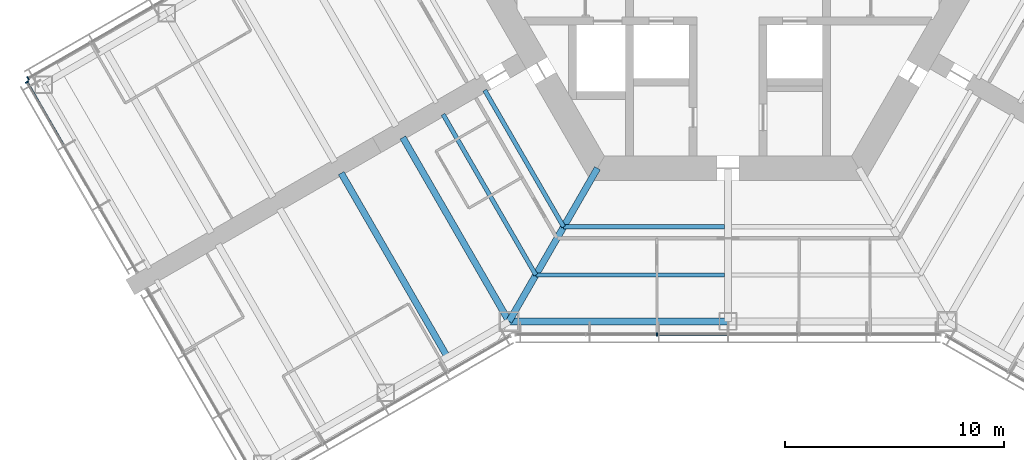
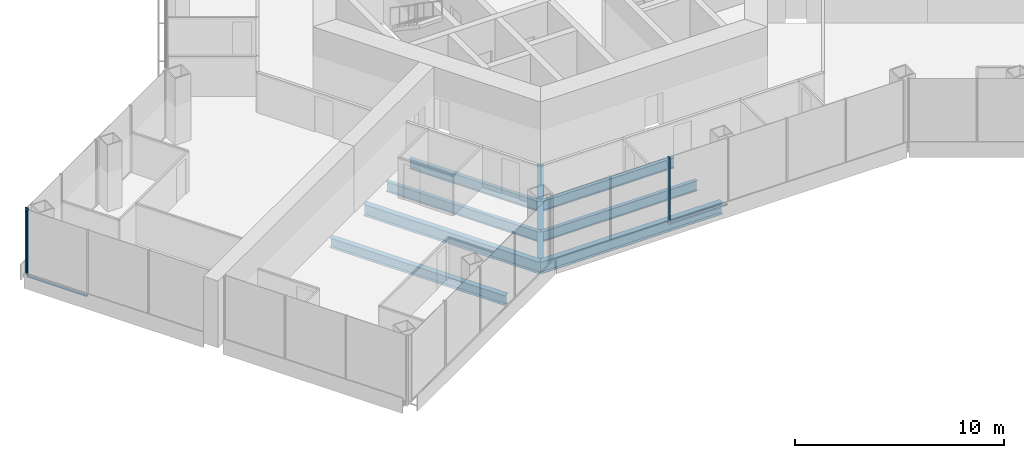
# One storey, part 3 of 18: 8 beams, 5 members, 3 elements without a shape of their own.
"""IFC4 building model written with IfcOpenShell, lengths in metres."""

from ifc_helpers import new_model, si_unit, direction, frame, origin, origin_2d, place, context, subcontext, project, spatial, rectangle, i_section, extrude, material, material_profile, profile_set, type_object, element, aggregate, save


model = new_model("IFC4")

# Units and contexts
model_context = context("Model", 3, precision=1e-05, world=origin(), true_north=direction((0.0, 1.0)))
body_context = subcontext(model_context, "Body", "Model", "MODEL_VIEW")
ifc_project = project(units=[si_unit("LENGTHUNIT", "METRE"), si_unit("AREAUNIT", "SQUARE_METRE"), si_unit("VOLUMEUNIT", "CUBIC_METRE"), si_unit("PLANEANGLEUNIT", "RADIAN"), si_unit("MASSUNIT", "GRAM", prefix="KILO")], contexts=[model_context])

# Site, building, storey
site_placement = place(None, origin())
site = spatial("IfcSite", under=ifc_project, at=site_placement, CompositionType="ELEMENT")
building_placement = place(site_placement, origin())
building = spatial("IfcBuilding", under=site, at=building_placement, Name="Kasaneha Research Tower", CompositionType="ELEMENT")
storey_placement = place(building_placement, frame((0.0, 0.0, 119.699951171875)))
storey = spatial("IfcBuildingStorey", under=building, at=storey_placement, Name="L30", CompositionType="ELEMENT", Elevation=119.699951171875)

# Beams
ifc_material_1 = material(Name="Steel SN490B", Category="steel")
ifc_material_profile_1 = material_profile(ifc_material_1, i_section(OverallWidth=0.199951171875, OverallDepth=0.60009765625, WebThickness=0.010986328125, FlangeThickness=0.01708984375, FilletRadius=0.012939453125, at=origin_2d()), Name="H-600x200x11x17")
ifc_profile_set_1 = profile_set([ifc_material_profile_1], Name="Steel SN490B")
beam_type_1 = type_object("IfcBeamType", Name="B1-3 secondary beam H-600x200x11x17", PredefinedType="JOIST", material=ifc_profile_set_1)
beam_1_placement = place(storey_placement, frame((-7.505615234375, -13.0, -0.449951171875), z_axis=(-0.499998147991, 0.86602647304, 0.0), x_axis=(-0.86602647304, -0.499998147991, 0.0)))
element("IfcBeam", 1, at=beam_1_placement, inside=storey, type_object=beam_type_1, Name="Secondary beam RS210R1 L30", PredefinedType="JOIST", context=body_context, shape_type="SweptSolid", body=[
    extrude(i_section(OverallWidth=0.199951171875, OverallDepth=0.60009765625, WebThickness=0.010986328125, FlangeThickness=0.01708984375, FilletRadius=0.012939453125, at=origin_2d()), origin(), (0.0, 0.0, 1.0), 7.20556640625),
])
beam_2_placement = place(storey_placement, frame((-8.775634765625, -15.199951171875, -0.449951171875), z_axis=(-0.500020829043, 0.866013377797, 0.0), x_axis=(-0.866013377797, -0.500020829043, 0.0)))
element("IfcBeam", 2, at=beam_2_placement, inside=storey, type_object=beam_type_1, Name="Secondary beam RS210R2 L30", PredefinedType="JOIST", context=body_context, shape_type="SweptSolid", body=[
    extrude(i_section(OverallWidth=0.199951171875, OverallDepth=0.60009765625, WebThickness=0.010986328125, FlangeThickness=0.01708984375, FilletRadius=0.012939453125, at=origin_2d()), origin(), (0.0, 0.0, 1.0), 8.475830078125),
])
beam_3_placement = place(storey_placement, frame((-7.505615234375, -13.0, -0.449951171875), z_axis=(1.0, 0.0, 0.0), x_axis=(0.0, 1.0, 0.0)))
element("IfcBeam", 3, at=beam_3_placement, inside=storey, type_object=beam_type_1, Name="Secondary beam RS270L1 L30", PredefinedType="JOIST", context=body_context, shape_type="SweptSolid", body=[
    extrude(i_section(OverallWidth=0.199951171875, OverallDepth=0.60009765625, WebThickness=0.010986328125, FlangeThickness=0.01708984375, FilletRadius=0.012939453125, at=origin_2d()), origin(), (0.0, 0.0, 1.0), 7.355712890625),
])
beam_4_placement = place(storey_placement, frame((-8.775634765625, -15.199951171875, -0.449951171875), z_axis=(1.0, 0.0, 0.0), x_axis=(0.0, 1.0, 0.0)))
element("IfcBeam", 4, at=beam_4_placement, inside=storey, type_object=beam_type_1, Name="Secondary beam RS270L2 L30", PredefinedType="JOIST", context=body_context, shape_type="SweptSolid", body=[
    extrude(i_section(OverallWidth=0.199951171875, OverallDepth=0.60009765625, WebThickness=0.010986328125, FlangeThickness=0.01708984375, FilletRadius=0.012939453125, at=origin_2d()), origin(), (0.0, 0.0, 1.0), 8.625732421875),
])
ifc_material_2 = material(Name="Steel SN490B", Category="steel")
ifc_material_profile_2 = material_profile(ifc_material_2, i_section(OverallWidth=0.300048828125, OverallDepth=0.58203125, WebThickness=0.011962890625, FlangeThickness=0.01708984375, FilletRadius=0.012939453125, at=origin_2d()), Name="H-582x300x12x17")
ifc_profile_set_2 = profile_set([ifc_material_profile_2], Name="Steel SN490B")
beam_type_2 = type_object("IfcBeamType", Name="B2-3 secondary beam H-582x300x12x17", PredefinedType="JOIST", material=ifc_profile_set_2)
beam_5_placement = place(storey_placement, frame((-12.814697265625, -18.945556640625, -0.44091796875), z_axis=(-0.499991164321, 0.866030505006, 0.0), x_axis=(-0.866030505006, -0.499991164321, 0.0)))
element("IfcBeam", 5, at=beam_5_placement, inside=storey, type_object=beam_type_2, Name="Secondary beam WBBN1 L30", PredefinedType="JOIST", context=body_context, shape_type="SweptSolid", body=[
    extrude(i_section(OverallWidth=0.300048828125, OverallDepth=0.58203125, WebThickness=0.011962890625, FlangeThickness=0.01708984375, FilletRadius=0.012939453125, at=origin_2d()), origin(), (0.0, 0.0, 1.0), 9.699951171875),
])

# Curtain wall, member
ifc_material_3 = material(Name="Glass and aluminium", Category="aluminium")
curtain_wall_type = type_object("IfcCurtainWallType", Name="Low-rise office curtain wall", PredefinedType="USERDEFINED", material=ifc_material_3)
curtain_wall_1_placement = place(storey_placement, origin())
curtain_wall_1 = element("IfcCurtainWall", 6, at=curtain_wall_1_placement, inside=storey, type_object=curtain_wall_type, Name="CW-O1 L30 run 02a", ObjectType="UNITISED CURTAIN WALL", PredefinedType="USERDEFINED")
ifc_material_4 = material(Name="Aluminium 6063-T6", Category="aluminium")
ifc_material_profile_3 = material_profile(ifc_material_4, rectangle(XDim=0.06005859375, YDim=0.159912109375, at=origin_2d()), Name="CW-O1 mullion 60x160")
ifc_profile_set_3 = profile_set([ifc_material_profile_3], Name="Aluminium 6063-T6")
member_type_1 = type_object("IfcMemberType", Name="CW-O1 mullion", PredefinedType="MULLION", material=ifc_profile_set_3)
member_1_placement = place(storey_placement, frame((-3.246337890625, -17.92041015625, 0.0), z_axis=(0.0, 0.0, 1.0), x_axis=(1.0, 0.0, 0.0)))
member_1 = element("IfcMember", 7, at=member_1_placement, type_object=member_type_1, Name="CW-O1 mullion 3", PredefinedType="MULLION", context=body_context, shape_type="SweptSolid", body=[
    extrude(rectangle(XDim=0.06005859375, YDim=0.159912109375, at=origin_2d()), origin(), (0.0, 0.0, 1.0), 3.900146484375),
])

curtain_wall_2_placement = place(storey_placement, origin())
curtain_wall_2 = element("IfcCurtainWall", 8, at=curtain_wall_2_placement, inside=storey, type_object=curtain_wall_type, Name="CW-O1 L30 run 13a", ObjectType="UNITISED CURTAIN WALL", PredefinedType="USERDEFINED")
member_2_placement = place(storey_placement, frame((-31.96533203125, -6.21533203125, 0.0), z_axis=(0.0, 0.0, 1.0), x_axis=(-0.866025411464, -0.499999986699, 0.0)))
member_2 = element("IfcMember", 9, at=member_2_placement, type_object=member_type_1, Name="CW-O1 mullion 5", PredefinedType="MULLION", context=body_context, shape_type="SweptSolid", body=[
    extrude(rectangle(XDim=0.06005859375, YDim=0.159912109375, at=origin_2d()), origin(), (0.0, 0.0, 1.0), 3.900146484375),
])
aggregate(curtain_wall_2, [member_2])

curtain_wall_3_placement = place(storey_placement, origin())
curtain_wall_3 = element("IfcCurtainWall", 10, at=curtain_wall_3_placement, inside=storey, type_object=curtain_wall_type, Name="CW-O1 L30 run 14a", ObjectType="UNITISED CURTAIN WALL", PredefinedType="USERDEFINED")
member_3_placement = place(storey_placement, frame((-32.012939453125, -6.39306640625, 0.0), z_axis=(0.0, 0.0, 1.0), x_axis=(0.500000011442, -0.866025397178, 0.0)))
member_3 = element("IfcMember", 11, at=member_3_placement, type_object=member_type_1, Name="CW-O1 mullion 1", PredefinedType="MULLION", context=body_context, shape_type="SweptSolid", body=[
    extrude(rectangle(XDim=0.06005859375, YDim=0.159912109375, at=origin_2d()), origin(), (0.0, 0.0, 1.0), 3.900146484375),
])

# Member
ifc_material_5 = material(Name="Aluminium 6063-T6", Category="aluminium")
ifc_material_profile_4 = material_profile(ifc_material_5, rectangle(XDim=0.1201171875, YDim=0.06005859375, at=origin_2d()), Name="CW-O1 transom 120x60")
ifc_profile_set_4 = profile_set([ifc_material_profile_4], Name="Aluminium 6063-T6")
member_type_2 = type_object("IfcMemberType", Name="CW-O1 transom", PredefinedType="USERDEFINED", material=ifc_profile_set_4)
member_4_placement = place(storey_placement, frame((-3.21630859375, -17.92041015625, 0.030029296875), z_axis=(1.0, 0.0, 0.0), x_axis=(0.0, 1.0, 0.0)))
member_4 = element("IfcMember", 12, at=member_4_placement, type_object=member_type_2, Name="CW-O1 transom 3", ObjectType="TRANSOM", PredefinedType="USERDEFINED", context=body_context, shape_type="SweptSolid", body=[
    extrude(rectangle(XDim=0.1201171875, YDim=0.06005859375, at=origin_2d()), origin(), (0.0, 0.0, 1.0), 3.186279296875),
])

aggregate(curtain_wall_1, [member_1, member_4])

member_5_placement = place(storey_placement, frame((-31.998046875, -6.4189453125, 0.030029296875), z_axis=(0.500025583411, -0.866010632691, 0.0), x_axis=(0.866010632691, 0.500025583411, 0.0)))
member_5 = element("IfcMember", 13, at=member_5_placement, type_object=member_type_2, Name="CW-O1 transom 1", ObjectType="TRANSOM", PredefinedType="USERDEFINED", context=body_context, shape_type="SweptSolid", body=[
    extrude(rectangle(XDim=0.1201171875, YDim=0.06005859375, at=origin_2d()), origin(), (0.0, 0.0, 1.0), 3.276611328125),
])

aggregate(curtain_wall_3, [member_3, member_5])

# Beams
ifc_material_6 = material(Name="Steel SN490B", Category="steel")
ifc_material_profile_5 = material_profile(ifc_material_6, i_section(OverallWidth=0.300048828125, OverallDepth=0.699951171875, WebThickness=0.012939453125, FlangeThickness=0.02392578125, FilletRadius=0.01806640625, at=origin_2d()), Name="H-700x300x13x24")
ifc_profile_set_5 = profile_set([ifc_material_profile_5], Name="Steel SN490B")
beam_type_3 = type_object("IfcBeamType", Name="G1-3 radial girder H-700x300x13x24", PredefinedType="BEAM", material=ifc_profile_set_5)
beam_6_placement = place(storey_placement, frame((-5.961181640625, -10.324951171875, -0.5), z_axis=(-0.49999105496, -0.866030568144, 0.0), x_axis=(0.866030568144, -0.49999105496, 0.0)))
element("IfcBeam", 14, at=beam_6_placement, inside=storey, type_object=beam_type_3, Name="Radial girder RV240 L30", PredefinedType="BEAM", context=body_context, shape_type="SweptSolid", body=[
    extrude(i_section(OverallWidth=0.300048828125, OverallDepth=0.699951171875, WebThickness=0.012939453125, FlangeThickness=0.02392578125, FilletRadius=0.01806640625, at=origin_2d()), origin(), (0.0, 0.0, 1.0), 8.077880859375),
])
ifc_material_7 = material(Name="Steel SN490B", Category="steel")
ifc_material_profile_6 = material_profile(ifc_material_7, i_section(OverallWidth=0.300048828125, OverallDepth=0.69189453125, WebThickness=0.012939453125, FlangeThickness=0.02001953125, FilletRadius=0.01806640625, at=origin_2d()), Name="H-692x300x13x20")
ifc_profile_set_6 = profile_set([ifc_material_profile_6], Name="Steel SN490B")
beam_type_4 = type_object("IfcBeamType", Name="G3-3 plate edge girder H-692x300x13x20", PredefinedType="BEAM", material=ifc_profile_set_6)
beam_7_placement = place(storey_placement, frame((-10.0, -17.320556640625, -0.495849609375), z_axis=(-0.500010041276, 0.866019606374, 0.0), x_axis=(-0.866019606374, -0.500010041276, 0.0)))
element("IfcBeam", 15, at=beam_7_placement, inside=storey, type_object=beam_type_4, Name="Plate edge girder PEBN L30", PredefinedType="BEAM", context=body_context, shape_type="SweptSolid", body=[
    extrude(i_section(OverallWidth=0.300048828125, OverallDepth=0.69189453125, WebThickness=0.012939453125, FlangeThickness=0.02001953125, FilletRadius=0.01806640625, at=origin_2d()), origin(), (0.0, 0.0, 1.0), 9.699951171875),
])
ifc_material_8 = material(Name="Steel SN490B", Category="steel")
ifc_material_profile_7 = material_profile(ifc_material_8, i_section(OverallWidth=0.300048828125, OverallDepth=0.69189453125, WebThickness=0.012939453125, FlangeThickness=0.02001953125, FilletRadius=0.01806640625, at=origin_2d()), Name="H-692x300x13x20")
ifc_profile_set_7 = profile_set([ifc_material_profile_7], Name="Steel SN490B")
beam_type_5 = type_object("IfcBeamType", Name="SB1-3 spandrel beam H-692x300x13x20", PredefinedType="SPANDREL", material=ifc_profile_set_7)
beam_8_placement = place(storey_placement, frame((-10.0, -17.320556640625, -0.495849609375), z_axis=(1.0, 0.0, 0.0), x_axis=(0.0, 1.0, 0.0)))
element("IfcBeam", 16, at=beam_8_placement, inside=storey, type_object=beam_type_5, Name="Spandrel beam SR270L L30", PredefinedType="SPANDREL", context=body_context, shape_type="SweptSolid", body=[
    extrude(i_section(OverallWidth=0.300048828125, OverallDepth=0.69189453125, WebThickness=0.012939453125, FlangeThickness=0.02001953125, FilletRadius=0.01806640625, at=origin_2d()), origin(), (0.0, 0.0, 1.0), 10.0),
])

save(model, "model.ifc")
